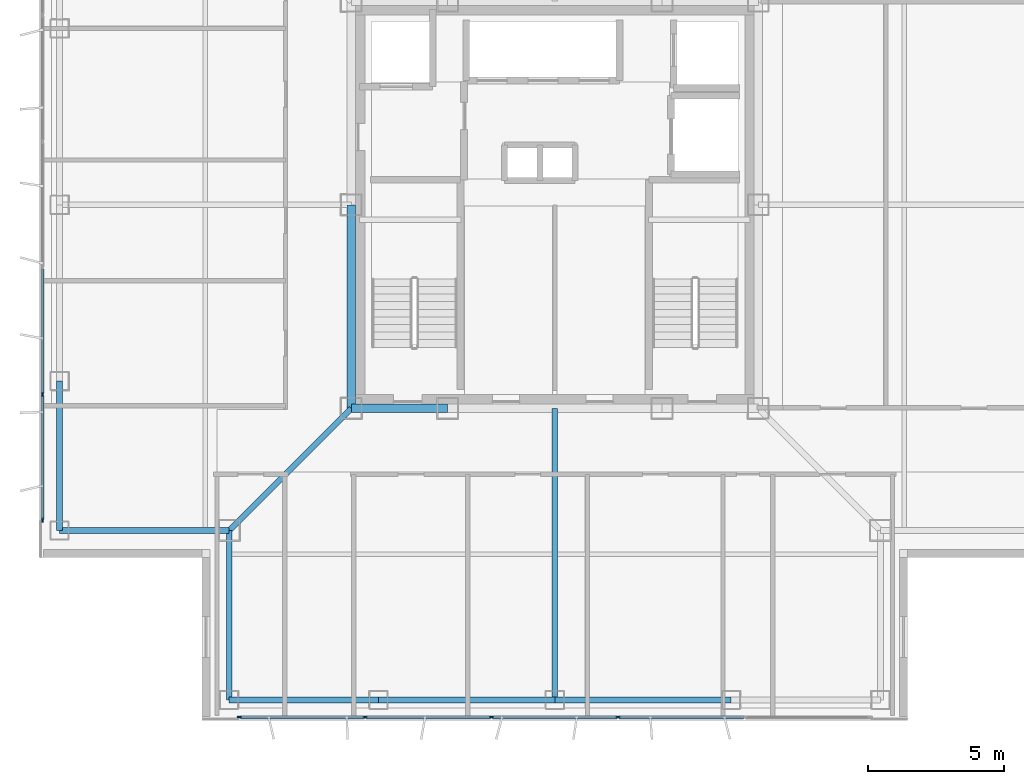
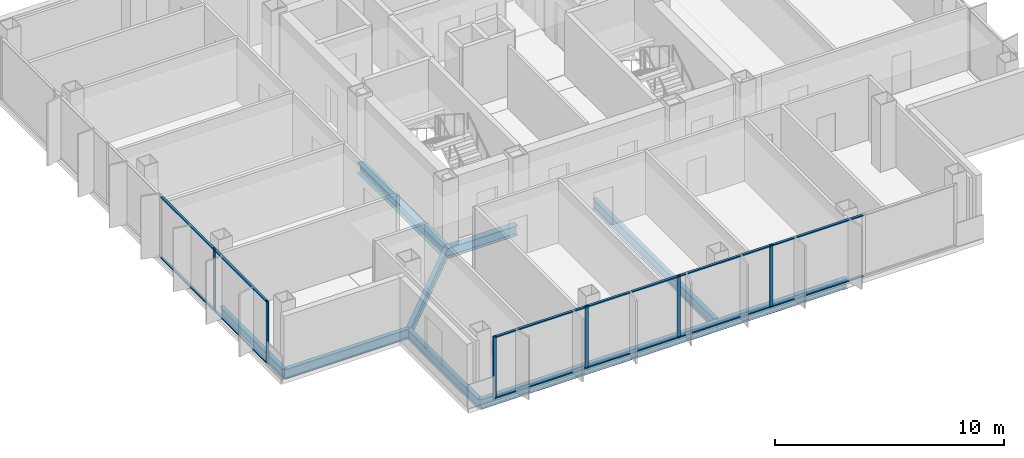
# One storey, part 2 of 15: 18 members, 10 beams, 2 elements without a shape of their own.
"""IFC4 building model written with IfcOpenShell, lengths in metres."""

from ifc_helpers import new_model, si_unit, direction, frame, origin, origin_2d, place, context, subcontext, project, spatial, rectangle, i_section, extrude, material, layer, layer_set, material_profile, profile_set, type_object, element, aggregate, save


model = new_model("IFC4")

# Units and contexts
model_context = context("Model", 3, precision=1e-05, world=origin(), true_north=direction((0.0, 1.0)))
body_context = subcontext(model_context, "Body", "Model", "MODEL_VIEW")
ifc_project = project(units=[si_unit("LENGTHUNIT", "METRE"), si_unit("AREAUNIT", "SQUARE_METRE"), si_unit("VOLUMEUNIT", "CUBIC_METRE"), si_unit("PLANEANGLEUNIT", "RADIAN"), si_unit("MASSUNIT", "GRAM", prefix="KILO")], contexts=[model_context])

# Site, building, storey
site_placement = place(None, origin())
site = spatial("IfcSite", under=ifc_project, at=site_placement, CompositionType="ELEMENT")
building_placement = place(site_placement, origin())
building = spatial("IfcBuilding", under=site, at=building_placement, Name="Trevonay Congress Spire", CompositionType="ELEMENT")
storey_placement = place(building_placement, frame((0.0, 0.0, 239.60009765625)))
storey = spatial("IfcBuildingStorey", under=building, at=storey_placement, Name="L62", CompositionType="ELEMENT", Elevation=239.60009765625)

# Beams
ifc_material_1 = material(Name="Steel ASTM A572 Grade 50", Category="steel")
ifc_material_profile_1 = material_profile(ifc_material_1, i_section(OverallWidth=0.2119140625, OverallDepth=0.5439453125, WebThickness=0.01318359375, FlangeThickness=0.021240234375, FilletRadius=0.014892578125, at=origin_2d()), Name="W530x123")
ifc_profile_set_1 = profile_set([ifc_material_profile_1], Name="Steel ASTM A572 Grade 50")
beam_type_1 = type_object("IfcBeamType", Name="BM-GIRD-W530X123", PredefinedType="BEAM", material=ifc_profile_set_1)
beam_1_placement = place(storey_placement, frame((-7.5, -7.5, -0.51220703125), z_axis=(-0.707106781187, -0.707106781187, 0.0), x_axis=(0.707106781187, -0.707106781187, 0.0)))
element("IfcBeam", 1, at=beam_1_placement, inside=storey, type_object=beam_type_1, Name="L62 structural beam BM-L62-CDSW", PredefinedType="BEAM", context=body_context, shape_type="SweptSolid", body=[
    extrude(i_section(OverallWidth=0.2119140625, OverallDepth=0.5439453125, WebThickness=0.01318359375, FlangeThickness=0.021240234375, FilletRadius=0.014892578125, at=origin_2d()), origin(), (0.0, 0.0, 1.0), 6.364013671875),
])
beam_2_placement = place(storey_placement, frame((0.0, -7.5, -0.51220703125), z_axis=(0.0, -1.0, 0.0), x_axis=(1.0, 0.0, 0.0)))
element("IfcBeam", 2, at=beam_2_placement, inside=storey, type_object=beam_type_1, Name="L62 structural beam BM-L62-GC-S", PredefinedType="BEAM", context=body_context, shape_type="SweptSolid", body=[
    extrude(i_section(OverallWidth=0.2119140625, OverallDepth=0.5439453125, WebThickness=0.01318359375, FlangeThickness=0.021240234375, FilletRadius=0.014892578125, at=origin_2d()), origin(), (0.0, 0.0, 1.0), 10.75),
])
ifc_material_profile_2 = material_profile(ifc_material_1, i_section(OverallWidth=0.31201171875, OverallDepth=0.54296875, WebThickness=0.0126953125, FlangeThickness=0.020263671875, FilletRadius=0.014892578125, at=origin_2d()), Name="W530x150")
ifc_profile_set_2 = profile_set([ifc_material_profile_2], Name="Steel ASTM A572 Grade 50")
beam_type_2 = type_object("IfcBeamType", Name="BM-GIRD-W530X150", PredefinedType="BEAM", material=ifc_profile_set_2)
beam_3_placement = place(storey_placement, frame((-7.5, -7.5, -0.51171875), z_axis=(1.0, 0.0, 0.0), x_axis=(0.0, 1.0, 0.0)))
element("IfcBeam", 3, at=beam_3_placement, inside=storey, type_object=beam_type_2, Name="L62 structural beam BM-L62-CR-S1", PredefinedType="BEAM", context=body_context, shape_type="SweptSolid", body=[
    extrude(i_section(OverallWidth=0.31201171875, OverallDepth=0.54296875, WebThickness=0.0126953125, FlangeThickness=0.020263671875, FilletRadius=0.014892578125, at=origin_2d()), origin(), (0.0, 0.0, 1.0), 3.550048828125),
])
beam_4_placement = place(storey_placement, frame((-7.5, -7.5, -0.51171875), z_axis=(0.0, 1.0, 0.0), x_axis=(-1.0, 0.0, 0.0)))
element("IfcBeam", 4, at=beam_4_placement, inside=storey, type_object=beam_type_2, Name="L62 structural beam BM-L62-CR-W1", PredefinedType="BEAM", context=body_context, shape_type="SweptSolid", body=[
    extrude(i_section(OverallWidth=0.31201171875, OverallDepth=0.54296875, WebThickness=0.0126953125, FlangeThickness=0.020263671875, FilletRadius=0.014892578125, at=origin_2d()), origin(), (0.0, 0.0, 1.0), 7.5),
])
ifc_material_profile_3 = material_profile(ifc_material_1, i_section(OverallWidth=0.208984375, OverallDepth=0.532958984375, WebThickness=0.01025390625, FlangeThickness=0.015625, FilletRadius=0.014892578125, at=origin_2d()), Name="W530x92")
ifc_profile_set_3 = profile_set([ifc_material_profile_3], Name="Steel ASTM A572 Grade 50")
beam_type_3 = type_object("IfcBeamType", Name="BM-RING-W530X92", PredefinedType="BEAM", material=ifc_profile_set_3)
for number, where, z_axis, x_axis, name in (
    (5, (-12.0, -18.25, -0.506591796875), (1.0, 0.0, 0.0), (0.0, 1.0, 0.0), "L62 structural beam BM-L62-PS1"),
    (6, (-18.25, -12.0, -0.506591796875), (0.0, 1.0, 0.0), (-1.0, 0.0, 0.0), "L62 structural beam BM-L62-PW1"),
):
    element("IfcBeam", number, at=place(storey_placement, frame(where, z_axis=z_axis, x_axis=x_axis)), inside=storey, type_object=beam_type_3, Name=name, PredefinedType="BEAM", context=body_context, shape_type="SweptSolid", body=[
        extrude(i_section(OverallWidth=0.208984375, OverallDepth=0.532958984375, WebThickness=0.01025390625, FlangeThickness=0.015625, FilletRadius=0.014892578125, at=origin_2d()), origin(), (0.0, 0.0, 1.0), 5.5),
    ])
for number, where, z_axis, x_axis, name in (
    (7, (-6.5, -18.25, -0.506591796875), (1.0, 0.0, 0.0), (0.0, 1.0, 0.0), "L62 structural beam BM-L62-PS2"),
    (8, (0.0, -18.25, -0.506591796875), (1.0, 0.0, 0.0), (0.0, 1.0, 0.0), "L62 structural beam BM-L62-PS3"),
):
    element("IfcBeam", number, at=place(storey_placement, frame(where, z_axis=z_axis, x_axis=x_axis)), inside=storey, type_object=beam_type_3, Name=name, PredefinedType="BEAM", context=body_context, shape_type="SweptSolid", body=[
        extrude(i_section(OverallWidth=0.208984375, OverallDepth=0.532958984375, WebThickness=0.01025390625, FlangeThickness=0.015625, FilletRadius=0.014892578125, at=origin_2d()), origin(), (0.0, 0.0, 1.0), 6.5),
    ])
for number, where, z_axis, x_axis, name in (
    (9, (-12.0, -18.25, -0.506591796875), (0.0, 1.0, 0.0), (-1.0, 0.0, 0.0), "L62 structural beam BM-L62-N1SW"),
    (10, (-18.25, -12.0, -0.506591796875), (1.0, 0.0, 0.0), (0.0, 1.0, 0.0), "L62 structural beam BM-L62-N2SW"),
):
    element("IfcBeam", number, at=place(storey_placement, frame(where, z_axis=z_axis, x_axis=x_axis)), inside=storey, type_object=beam_type_3, Name=name, PredefinedType="BEAM", context=body_context, shape_type="SweptSolid", body=[
        extrude(i_section(OverallWidth=0.208984375, OverallDepth=0.532958984375, WebThickness=0.01025390625, FlangeThickness=0.015625, FilletRadius=0.014892578125, at=origin_2d()), origin(), (0.0, 0.0, 1.0), 6.25),
    ])

# Curtain wall, members
ifc_material_2 = material(Name="Pale Anodised Aluminium EN AW-6063-T6", Category="aluminium")
ifc_layer = layer(ifc_material_2, 0.1650390625, Name="Pale Anodised Aluminium EN AW-6063-T6")
ifc_layer_set = layer_set([ifc_layer], Name="Pale Anodised Aluminium EN AW-6063-T6")
curtain_wall_type = type_object("IfcCurtainWallType", Name="CW-SYS05-DIPLOM-PALE-METAL", PredefinedType="NOTDEFINED", material=ifc_layer_set)
curtain_wall_1_placement = place(storey_placement, origin())
curtain_wall_1 = element("IfcCurtainWall", 11, at=curtain_wall_1_placement, inside=storey, type_object=curtain_wall_type, Name="L62 S unitised curtain wall", PredefinedType="NOTDEFINED")
ifc_material_profile_4 = material_profile(ifc_material_2, rectangle(XDim=0.06005859375, YDim=0.159912109375, at=origin_2d()), Name="CW-MULLION-160-ALUMINIUM")
ifc_profile_set_4 = profile_set([ifc_material_profile_4], Name="Pale Anodised Aluminium EN AW-6063-T6")
member_type_1 = type_object("IfcMemberType", Name="CW-MULLION-160-ALUMINIUM", PredefinedType="MULLION", material=ifc_profile_set_4)
member_1_placement = place(storey_placement, frame((-11.6201171875, -18.8798828125, 0.0), z_axis=(0.0, 0.0, 1.0), x_axis=(0.0, 1.0, 0.0)))
member_1 = element("IfcMember", 12, at=member_1_placement, type_object=member_type_1, Name="CW05 mullion 1", PredefinedType="MULLION", context=body_context, shape_type="SweptSolid", body=[
    extrude(rectangle(XDim=0.06005859375, YDim=0.159912109375, at=origin_2d()), origin(), (0.0, 0.0, 1.0), 3.35986328125),
])
member_2_placement = place(storey_placement, frame((-6.989990234375, -18.8798828125, 0.0), z_axis=(0.0, 0.0, 1.0), x_axis=(0.0, 1.0, 0.0)))
member_2 = element("IfcMember", 13, at=member_2_placement, type_object=member_type_1, Name="CW05 mullion 2", PredefinedType="MULLION", context=body_context, shape_type="SweptSolid", body=[
    extrude(rectangle(XDim=0.06005859375, YDim=0.159912109375, at=origin_2d()), origin(), (0.0, 0.0, 1.0), 3.35986328125),
])
member_3_placement = place(storey_placement, frame((-2.330078125, -18.8798828125, 0.0), z_axis=(0.0, 0.0, 1.0), x_axis=(0.0, 1.0, 0.0)))
member_3 = element("IfcMember", 14, at=member_3_placement, type_object=member_type_1, Name="CW05 mullion 3", PredefinedType="MULLION", context=body_context, shape_type="SweptSolid", body=[
    extrude(rectangle(XDim=0.06005859375, YDim=0.159912109375, at=origin_2d()), origin(), (0.0, 0.0, 1.0), 3.35986328125),
])
member_4_placement = place(storey_placement, frame((2.330078125, -18.8798828125, 0.0), z_axis=(0.0, 0.0, 1.0), x_axis=(0.0, 1.0, 0.0)))
member_4 = element("IfcMember", 15, at=member_4_placement, type_object=member_type_1, Name="CW05 mullion 4", PredefinedType="MULLION", context=body_context, shape_type="SweptSolid", body=[
    extrude(rectangle(XDim=0.06005859375, YDim=0.159912109375, at=origin_2d()), origin(), (0.0, 0.0, 1.0), 3.35986328125),
])

curtain_wall_2_placement = place(storey_placement, origin())
curtain_wall_2 = element("IfcCurtainWall", 16, at=curtain_wall_2_placement, inside=storey, type_object=curtain_wall_type, Name="L62 W unitised curtain wall", PredefinedType="NOTDEFINED")
member_5_placement = place(storey_placement, frame((-18.8798828125, -11.6201171875, 0.0), z_axis=(0.0, 0.0, 1.0), x_axis=(-1.0, 0.0, 0.0)))
member_5 = element("IfcMember", 17, at=member_5_placement, type_object=member_type_1, Name="CW05 mullion 1", PredefinedType="MULLION", context=body_context, shape_type="SweptSolid", body=[
    extrude(rectangle(XDim=0.06005859375, YDim=0.159912109375, at=origin_2d()), origin(), (0.0, 0.0, 1.0), 3.35986328125),
])
member_6_placement = place(storey_placement, frame((-18.8798828125, -6.989990234375, 0.0), z_axis=(0.0, 0.0, 1.0), x_axis=(-1.0, 0.0, 0.0)))
member_6 = element("IfcMember", 18, at=member_6_placement, type_object=member_type_1, Name="CW05 mullion 2", PredefinedType="MULLION", context=body_context, shape_type="SweptSolid", body=[
    extrude(rectangle(XDim=0.06005859375, YDim=0.159912109375, at=origin_2d()), origin(), (0.0, 0.0, 1.0), 3.35986328125),
])

# Member
ifc_material_profile_5 = material_profile(ifc_material_2, rectangle(XDim=0.1201171875, YDim=0.06005859375, at=origin_2d()), Name="CW-TRANSOM-120-ALUMINIUM")
ifc_profile_set_5 = profile_set([ifc_material_profile_5], Name="Pale Anodised Aluminium EN AW-6063-T6")
member_type_2 = type_object("IfcMemberType", Name="CW-TRANSOM-120-ALUMINIUM", PredefinedType="USERDEFINED", material=ifc_profile_set_5)
member_7_placement = place(storey_placement, frame((-11.590087890625, -18.8798828125, 0.059814453125), z_axis=(1.0, 0.0, 0.0), x_axis=(0.0, 1.0, 0.0)))
member_7 = element("IfcMember", 19, at=member_7_placement, type_object=member_type_2, Name="CW05 transom 1.1", ObjectType="TRANSOM", PredefinedType="USERDEFINED", context=body_context, shape_type="SweptSolid", body=[
    extrude(rectangle(XDim=0.1201171875, YDim=0.06005859375, at=origin_2d()), origin(), (0.0, 0.0, 1.0), 4.570068359375),
])

member_8_placement = place(storey_placement, frame((-11.590087890625, -18.8798828125, 3.2998046875), z_axis=(1.0, 0.0, 0.0), x_axis=(0.0, 1.0, 0.0)))
member_8 = element("IfcMember", 20, at=member_8_placement, type_object=member_type_2, Name="CW05 transom 1.2", ObjectType="TRANSOM", PredefinedType="USERDEFINED", context=body_context, shape_type="SweptSolid", body=[
    extrude(rectangle(XDim=0.1201171875, YDim=0.06005859375, at=origin_2d()), origin(), (0.0, 0.0, 1.0), 4.570068359375),
])

member_9_placement = place(storey_placement, frame((-6.9599609375, -18.8798828125, 0.059814453125), z_axis=(1.0, 0.0, 0.0), x_axis=(0.0, 1.0, 0.0)))
member_9 = element("IfcMember", 21, at=member_9_placement, type_object=member_type_2, Name="CW05 transom 2.1", ObjectType="TRANSOM", PredefinedType="USERDEFINED", context=body_context, shape_type="SweptSolid", body=[
    extrude(rectangle(XDim=0.1201171875, YDim=0.06005859375, at=origin_2d()), origin(), (0.0, 0.0, 1.0), 4.599853515625),
])

member_10_placement = place(storey_placement, frame((-6.9599609375, -18.8798828125, 3.2998046875), z_axis=(1.0, 0.0, 0.0), x_axis=(0.0, 1.0, 0.0)))
member_10 = element("IfcMember", 22, at=member_10_placement, type_object=member_type_2, Name="CW05 transom 2.2", ObjectType="TRANSOM", PredefinedType="USERDEFINED", context=body_context, shape_type="SweptSolid", body=[
    extrude(rectangle(XDim=0.1201171875, YDim=0.06005859375, at=origin_2d()), origin(), (0.0, 0.0, 1.0), 4.599853515625),
])

member_11_placement = place(storey_placement, frame((-2.300048828125, -18.8798828125, 0.059814453125), z_axis=(1.0, 0.0, 0.0), x_axis=(0.0, 1.0, 0.0)))
member_11 = element("IfcMember", 23, at=member_11_placement, type_object=member_type_2, Name="CW05 transom 3.1", ObjectType="TRANSOM", PredefinedType="USERDEFINED", context=body_context, shape_type="SweptSolid", body=[
    extrude(rectangle(XDim=0.1201171875, YDim=0.06005859375, at=origin_2d()), origin(), (0.0, 0.0, 1.0), 4.60009765625),
])

member_12_placement = place(storey_placement, frame((-2.300048828125, -18.8798828125, 3.2998046875), z_axis=(1.0, 0.0, 0.0), x_axis=(0.0, 1.0, 0.0)))
member_12 = element("IfcMember", 24, at=member_12_placement, type_object=member_type_2, Name="CW05 transom 3.2", ObjectType="TRANSOM", PredefinedType="USERDEFINED", context=body_context, shape_type="SweptSolid", body=[
    extrude(rectangle(XDim=0.1201171875, YDim=0.06005859375, at=origin_2d()), origin(), (0.0, 0.0, 1.0), 4.60009765625),
])

member_13_placement = place(storey_placement, frame((2.360107421875, -18.8798828125, 0.059814453125), z_axis=(1.0, 0.0, 0.0), x_axis=(0.0, 1.0, 0.0)))
member_13 = element("IfcMember", 25, at=member_13_placement, type_object=member_type_2, Name="CW05 transom 4.1", ObjectType="TRANSOM", PredefinedType="USERDEFINED", context=body_context, shape_type="SweptSolid", body=[
    extrude(rectangle(XDim=0.1201171875, YDim=0.06005859375, at=origin_2d()), origin(), (0.0, 0.0, 1.0), 4.599853515625),
])

member_14_placement = place(storey_placement, frame((2.360107421875, -18.8798828125, 3.2998046875), z_axis=(1.0, 0.0, 0.0), x_axis=(0.0, 1.0, 0.0)))
member_14 = element("IfcMember", 26, at=member_14_placement, type_object=member_type_2, Name="CW05 transom 4.2", ObjectType="TRANSOM", PredefinedType="USERDEFINED", context=body_context, shape_type="SweptSolid", body=[
    extrude(rectangle(XDim=0.1201171875, YDim=0.06005859375, at=origin_2d()), origin(), (0.0, 0.0, 1.0), 4.599853515625),
])

aggregate(curtain_wall_1, [member_1, member_2, member_3, member_4, member_7, member_8, member_9, member_10, member_11, member_12, member_13, member_14])

member_15_placement = place(storey_placement, frame((-18.8798828125, -11.590087890625, 0.059814453125), z_axis=(0.0, 1.0, 0.0), x_axis=(-1.0, 0.0, 0.0)))
member_15 = element("IfcMember", 27, at=member_15_placement, type_object=member_type_2, Name="CW05 transom 1.1", ObjectType="TRANSOM", PredefinedType="USERDEFINED", context=body_context, shape_type="SweptSolid", body=[
    extrude(rectangle(XDim=0.1201171875, YDim=0.06005859375, at=origin_2d()), origin(), (0.0, 0.0, 1.0), 4.570068359375),
])

member_16_placement = place(storey_placement, frame((-18.8798828125, -11.590087890625, 3.2998046875), z_axis=(0.0, 1.0, 0.0), x_axis=(-1.0, 0.0, 0.0)))
member_16 = element("IfcMember", 28, at=member_16_placement, type_object=member_type_2, Name="CW05 transom 1.2", ObjectType="TRANSOM", PredefinedType="USERDEFINED", context=body_context, shape_type="SweptSolid", body=[
    extrude(rectangle(XDim=0.1201171875, YDim=0.06005859375, at=origin_2d()), origin(), (0.0, 0.0, 1.0), 4.570068359375),
])

member_17_placement = place(storey_placement, frame((-18.8798828125, -6.9599609375, 0.059814453125), z_axis=(0.0, 1.0, 0.0), x_axis=(-1.0, 0.0, 0.0)))
member_17 = element("IfcMember", 29, at=member_17_placement, type_object=member_type_2, Name="CW05 transom 2.1", ObjectType="TRANSOM", PredefinedType="USERDEFINED", context=body_context, shape_type="SweptSolid", body=[
    extrude(rectangle(XDim=0.1201171875, YDim=0.06005859375, at=origin_2d()), origin(), (0.0, 0.0, 1.0), 4.599853515625),
])

member_18_placement = place(storey_placement, frame((-18.8798828125, -6.9599609375, 3.2998046875), z_axis=(0.0, 1.0, 0.0), x_axis=(-1.0, 0.0, 0.0)))
member_18 = element("IfcMember", 30, at=member_18_placement, type_object=member_type_2, Name="CW05 transom 2.2", ObjectType="TRANSOM", PredefinedType="USERDEFINED", context=body_context, shape_type="SweptSolid", body=[
    extrude(rectangle(XDim=0.1201171875, YDim=0.06005859375, at=origin_2d()), origin(), (0.0, 0.0, 1.0), 4.599853515625),
])

aggregate(curtain_wall_2, [member_5, member_6, member_15, member_16, member_17, member_18])

save(model, "model.ifc")
